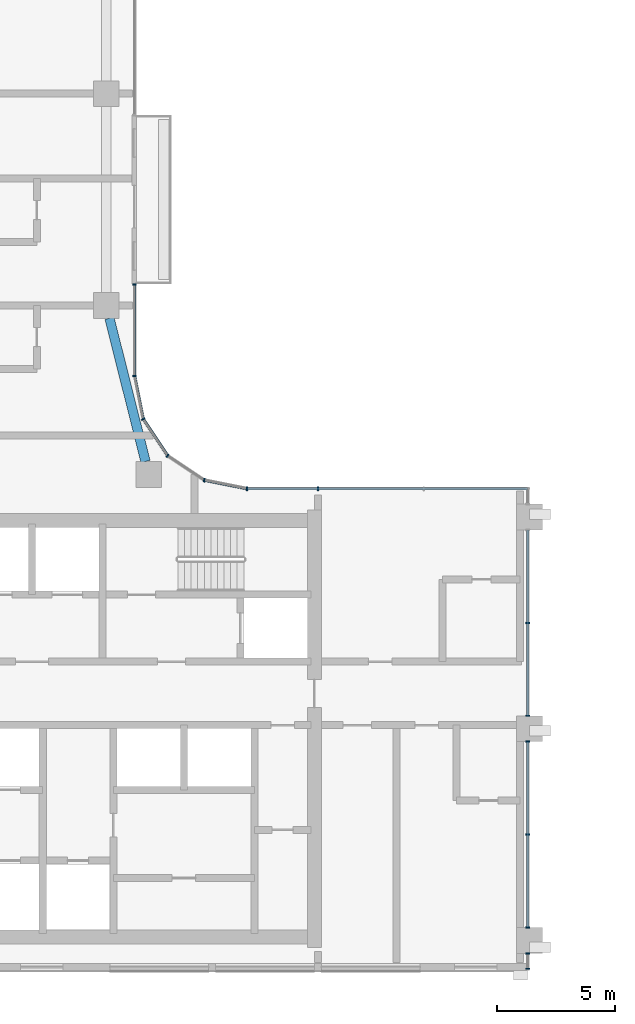
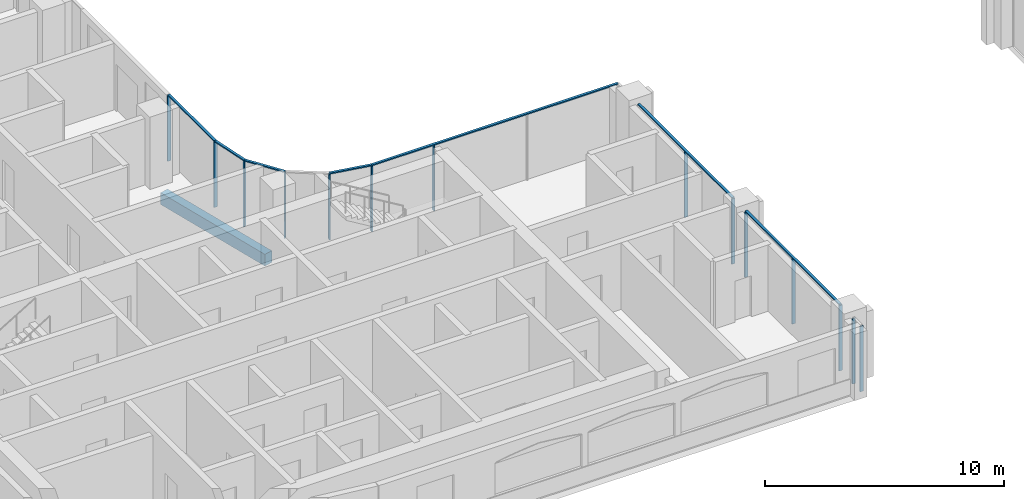
# One storey, part 2 of 23: 21 members, 1 beam, 6 elements without a shape of their own.
"""IFC4 building model written with IfcOpenShell, lengths in metres."""

from ifc_helpers import new_model, si_unit, direction, frame, origin, origin_2d, place, context, subcontext, project, spatial, rectangle, extrude, material, material_profile, profile_set, type_object, element, aggregate, save


model = new_model("IFC4")

# Units and contexts
model_context = context("Model", 3, precision=1e-05, world=origin(), true_north=direction((0.0, 1.0)))
body_context = subcontext(model_context, "Body", "Model", "MODEL_VIEW")
ifc_project = project(units=[si_unit("LENGTHUNIT", "METRE"), si_unit("AREAUNIT", "SQUARE_METRE"), si_unit("VOLUMEUNIT", "CUBIC_METRE"), si_unit("PLANEANGLEUNIT", "RADIAN"), si_unit("MASSUNIT", "GRAM", prefix="KILO")], contexts=[model_context])

# Site, building, storey
site_placement = place(None, origin())
site = spatial("IfcSite", under=ifc_project, at=site_placement, CompositionType="ELEMENT")
building_placement = place(site_placement, origin())
building = spatial("IfcBuilding", under=site, at=building_placement, Name="Ogive Portal Towers", CompositionType="ELEMENT")
storey_placement = place(building_placement, frame((0.0, 0.0, 164.39990234375)))
storey = spatial("IfcBuildingStorey", under=building, at=storey_placement, Name="L40", CompositionType="ELEMENT", Elevation=164.39990234375)

# Curtain wall, members
ifc_material_1 = material(Name="Glass, clear low-iron insulated glazing", Category="glass")
curtain_wall_type_1 = type_object("IfcCurtainWallType", Name="CW PORTAL REVEAL", PredefinedType="NOTDEFINED", material=ifc_material_1)
curtain_wall_1_placement = place(storey_placement, origin())
curtain_wall_1 = element("IfcCurtainWall", 1, at=curtain_wall_1_placement, inside=storey, type_object=curtain_wall_type_1, Name="A:L40:f06:cw0~0", PredefinedType="NOTDEFINED")
ifc_material_2 = material(Name="Aluminium 6063 anodised", Category="aluminium")
ifc_material_profile_1 = material_profile(ifc_material_2, rectangle(XDim=0.159912109375, YDim=0.06005859375, at=origin_2d()), Name="AL 60x160")
ifc_profile_set_1 = profile_set([ifc_material_profile_1], Name="Aluminium 6063 anodised")
member_type_1 = type_object("IfcMemberType", Name="CW MULLION 60x160", PredefinedType="MULLION", material=ifc_profile_set_1)
member_1_placement = place(storey_placement, frame((67.419921875, 20.294921875, 0.0), z_axis=(0.0, 0.0, 1.0), x_axis=(-1.0, 0.0, 0.0)))
member_1 = element("IfcMember", 2, at=member_1_placement, type_object=member_type_1, Name="mullion", PredefinedType="MULLION", context=body_context, shape_type="SweptSolid", body=[
    extrude(rectangle(XDim=0.159912109375, YDim=0.06005859375, at=origin_2d()), origin(), (0.0, 0.0, 1.0), 3.340087890625),
])
member_2_placement = place(storey_placement, frame((67.419921875, 20.949951171875, 0.0), z_axis=(0.0, 0.0, 1.0), x_axis=(-1.0, 0.0, 0.0)))
member_2 = element("IfcMember", 3, at=member_2_placement, type_object=member_type_1, Name="mullion", PredefinedType="MULLION", context=body_context, shape_type="SweptSolid", body=[
    extrude(rectangle(XDim=0.159912109375, YDim=0.06005859375, at=origin_2d()), origin(), (0.0, 0.0, 1.0), 3.340087890625),
])
aggregate(curtain_wall_1, [member_1, member_2])

curtain_wall_2_placement = place(storey_placement, origin())
curtain_wall_2 = element("IfcCurtainWall", 4, at=curtain_wall_2_placement, inside=storey, type_object=curtain_wall_type_1, Name="A:L40:f06:cw0~1", PredefinedType="NOTDEFINED")
member_3_placement = place(storey_placement, frame((67.419921875, 22.050048828125, 0.0), z_axis=(0.0, 0.0, 1.0), x_axis=(-1.0, 0.0, 0.0)))
member_3 = element("IfcMember", 5, at=member_3_placement, type_object=member_type_1, Name="mullion", PredefinedType="MULLION", context=body_context, shape_type="SweptSolid", body=[
    extrude(rectangle(XDim=0.159912109375, YDim=0.06005859375, at=origin_2d()), origin(), (0.0, 0.0, 1.0), 3.340087890625),
])
member_4_placement = place(storey_placement, frame((67.419921875, 26.0, 0.0), z_axis=(0.0, 0.0, 1.0), x_axis=(-1.0, 0.0, 0.0)))
member_4 = element("IfcMember", 6, at=member_4_placement, type_object=member_type_1, Name="mullion", PredefinedType="MULLION", context=body_context, shape_type="SweptSolid", body=[
    extrude(rectangle(XDim=0.159912109375, YDim=0.06005859375, at=origin_2d()), origin(), (0.0, 0.0, 1.0), 3.340087890625),
])
member_5_placement = place(storey_placement, frame((67.419921875, 29.949951171875, 0.0), z_axis=(0.0, 0.0, 1.0), x_axis=(-1.0, 0.0, 0.0)))
member_5 = element("IfcMember", 7, at=member_5_placement, type_object=member_type_1, Name="mullion", PredefinedType="MULLION", context=body_context, shape_type="SweptSolid", body=[
    extrude(rectangle(XDim=0.159912109375, YDim=0.06005859375, at=origin_2d()), origin(), (0.0, 0.0, 1.0), 3.340087890625),
])

curtain_wall_3_placement = place(storey_placement, origin())
curtain_wall_3 = element("IfcCurtainWall", 8, at=curtain_wall_3_placement, inside=storey, type_object=curtain_wall_type_1, Name="A:L40:f06:cw0~2", PredefinedType="NOTDEFINED")
member_6_placement = place(storey_placement, frame((67.419921875, 31.050048828125, 0.0), z_axis=(0.0, 0.0, 1.0), x_axis=(-1.0, 0.0, 0.0)))
member_6 = element("IfcMember", 9, at=member_6_placement, type_object=member_type_1, Name="mullion", PredefinedType="MULLION", context=body_context, shape_type="SweptSolid", body=[
    extrude(rectangle(XDim=0.159912109375, YDim=0.06005859375, at=origin_2d()), origin(), (0.0, 0.0, 1.0), 3.340087890625),
])
member_7_placement = place(storey_placement, frame((67.419921875, 35.0, 0.0), z_axis=(0.0, 0.0, 1.0), x_axis=(-1.0, 0.0, 0.0)))
member_7 = element("IfcMember", 10, at=member_7_placement, type_object=member_type_1, Name="mullion", PredefinedType="MULLION", context=body_context, shape_type="SweptSolid", body=[
    extrude(rectangle(XDim=0.159912109375, YDim=0.06005859375, at=origin_2d()), origin(), (0.0, 0.0, 1.0), 3.340087890625),
])

curtain_wall_type_2 = type_object("IfcCurtainWallType", Name="CW FRONT RIBBON 4500", PredefinedType="NOTDEFINED", material=ifc_material_1)
curtain_wall_4_placement = place(storey_placement, origin())
curtain_wall_4 = element("IfcCurtainWall", 11, at=curtain_wall_4_placement, inside=storey, type_object=curtain_wall_type_2, Name="A:L40:f07:cw0", PredefinedType="NOTDEFINED")
member_8_placement = place(storey_placement, frame((58.5, 40.705078125, 0.0), z_axis=(0.0, 0.0, 1.0), x_axis=(0.0, -1.0, 0.0)))
member_8 = element("IfcMember", 12, at=member_8_placement, type_object=member_type_1, Name="mullion", PredefinedType="MULLION", context=body_context, shape_type="SweptSolid", body=[
    extrude(rectangle(XDim=0.159912109375, YDim=0.06005859375, at=origin_2d()), origin(), (0.0, 0.0, 1.0), 3.340087890625),
])
member_9_placement = place(storey_placement, frame((55.4921875, 40.705078125, 0.0), z_axis=(0.0, 0.0, 1.0), x_axis=(0.0, -1.0, 0.0)))
member_9 = element("IfcMember", 13, at=member_9_placement, type_object=member_type_1, Name="mullion", PredefinedType="MULLION", context=body_context, shape_type="SweptSolid", body=[
    extrude(rectangle(XDim=0.159912109375, YDim=0.06005859375, at=origin_2d()), origin(), (0.0, 0.0, 1.0), 3.340087890625),
])

curtain_wall_5_placement = place(storey_placement, origin())
curtain_wall_5 = element("IfcCurtainWall", 14, at=curtain_wall_5_placement, inside=storey, type_object=curtain_wall_type_2, Name="A:L40:f12:cw0", PredefinedType="NOTDEFINED")
member_10_placement = place(storey_placement, frame((50.705078125, 45.4921875, 0.0), z_axis=(0.0, 0.0, 1.0), x_axis=(-1.0, 0.0, 0.0)))
member_10 = element("IfcMember", 15, at=member_10_placement, type_object=member_type_1, Name="mullion", PredefinedType="MULLION", context=body_context, shape_type="SweptSolid", body=[
    extrude(rectangle(XDim=0.159912109375, YDim=0.06005859375, at=origin_2d()), origin(), (0.0, 0.0, 1.0), 3.340087890625),
])
member_11_placement = place(storey_placement, frame((50.705078125, 49.391357421875, 0.0), z_axis=(0.0, 0.0, 1.0), x_axis=(-1.0, 0.0, 0.0)))
member_11 = element("IfcMember", 16, at=member_11_placement, type_object=member_type_1, Name="mullion", PredefinedType="MULLION", context=body_context, shape_type="SweptSolid", body=[
    extrude(rectangle(XDim=0.159912109375, YDim=0.06005859375, at=origin_2d()), origin(), (0.0, 0.0, 1.0), 3.340087890625),
])

curtain_wall_6_placement = place(storey_placement, origin())
curtain_wall_6 = element("IfcCurtainWall", 17, at=curtain_wall_6_placement, inside=storey, type_object=curtain_wall_type_2, Name="A:L40:f08:cwa", PredefinedType="NOTDEFINED")
member_12_placement = place(storey_placement, frame((53.66455078125, 41.068603515625, 0.0), z_axis=(0.0, 0.0, 1.0), x_axis=(-0.195090322016, -0.980785280403, 0.0)))
member_12 = element("IfcMember", 18, at=member_12_placement, type_object=member_type_1, Name="mullion", PredefinedType="MULLION", context=body_context, shape_type="SweptSolid", body=[
    extrude(rectangle(XDim=0.159912109375, YDim=0.06005859375, at=origin_2d()), origin(), (0.0, 0.0, 1.0), 3.340087890625),
])
member_13_placement = place(storey_placement, frame((52.1083984375, 42.1083984375, 0.0), z_axis=(0.0, 0.0, 1.0), x_axis=(-0.55557023302, -0.831469612303, 0.0)))
member_13 = element("IfcMember", 19, at=member_13_placement, type_object=member_type_1, Name="mullion", PredefinedType="MULLION", context=body_context, shape_type="SweptSolid", body=[
    extrude(rectangle(XDim=0.159912109375, YDim=0.06005859375, at=origin_2d()), origin(), (0.0, 0.0, 1.0), 3.340087890625),
])
member_14_placement = place(storey_placement, frame((51.068603515625, 43.66455078125, 0.0), z_axis=(0.0, 0.0, 1.0), x_axis=(-0.831469612303, -0.55557023302, 0.0)))
member_14 = element("IfcMember", 20, at=member_14_placement, type_object=member_type_1, Name="mullion", PredefinedType="MULLION", context=body_context, shape_type="SweptSolid", body=[
    extrude(rectangle(XDim=0.159912109375, YDim=0.06005859375, at=origin_2d()), origin(), (0.0, 0.0, 1.0), 3.340087890625),
])

# Member
ifc_material_profile_2 = material_profile(ifc_material_2, rectangle(XDim=0.1201171875, YDim=0.06005859375, at=origin_2d()), Name="AL 120x60")
ifc_profile_set_2 = profile_set([ifc_material_profile_2], Name="Aluminium 6063 anodised")
member_type_2 = type_object("IfcMemberType", Name="CW TRANSOM 60x120", PredefinedType="USERDEFINED", material=ifc_profile_set_2)
member_15_placement = place(storey_placement, frame((67.419921875, 22.050048828125, 3.3701171875), z_axis=(0.0, 1.0, 0.0), x_axis=(-1.0, 0.0, 0.0)))
member_15 = element("IfcMember", 21, at=member_15_placement, type_object=member_type_2, Name="transom", ObjectType="TRANSOM", PredefinedType="USERDEFINED", context=body_context, shape_type="SweptSolid", body=[
    extrude(rectangle(XDim=0.1201171875, YDim=0.06005859375, at=origin_2d()), origin(), (0.0, 0.0, 1.0), 7.89990234375),
])

aggregate(curtain_wall_2, [member_15, member_3, member_4, member_5])

member_16_placement = place(storey_placement, frame((67.419921875, 31.050048828125, 3.3701171875), z_axis=(0.0, 1.0, 0.0), x_axis=(-1.0, 0.0, 0.0)))
member_16 = element("IfcMember", 22, at=member_16_placement, type_object=member_type_2, Name="transom", ObjectType="TRANSOM", PredefinedType="USERDEFINED", context=body_context, shape_type="SweptSolid", body=[
    extrude(rectangle(XDim=0.1201171875, YDim=0.06005859375, at=origin_2d()), origin(), (0.0, 0.0, 1.0), 7.89990234375),
])

aggregate(curtain_wall_3, [member_16, member_6, member_7])

member_17_placement = place(storey_placement, frame((67.419921875, 40.705078125, 3.3701171875), z_axis=(-1.0, 0.0, 0.0), x_axis=(0.0, -1.0, 0.0)))
member_17 = element("IfcMember", 23, at=member_17_placement, type_object=member_type_2, Name="transom", ObjectType="TRANSOM", PredefinedType="USERDEFINED", context=body_context, shape_type="SweptSolid", body=[
    extrude(rectangle(XDim=0.1201171875, YDim=0.06005859375, at=origin_2d()), origin(), (0.0, 0.0, 1.0), 11.927734375),
])

aggregate(curtain_wall_4, [member_17, member_8, member_9])

member_18_placement = place(storey_placement, frame((50.705078125, 45.4921875, 3.3701171875), z_axis=(0.0, 1.0, 0.0), x_axis=(-1.0, 0.0, 0.0)))
member_18 = element("IfcMember", 24, at=member_18_placement, type_object=member_type_2, Name="transom", ObjectType="TRANSOM", PredefinedType="USERDEFINED", context=body_context, shape_type="SweptSolid", body=[
    extrude(rectangle(XDim=0.1201171875, YDim=0.06005859375, at=origin_2d()), origin(), (0.0, 0.0, 1.0), 3.899169921875),
])

aggregate(curtain_wall_5, [member_18, member_10, member_11])

member_19_placement = place(storey_placement, frame((55.4921875, 40.705078125, 3.3701171875), z_axis=(-0.980786733923, 0.195083014535, 0.0), x_axis=(-0.195083014535, -0.980786733923, 0.0)))
member_19 = element("IfcMember", 25, at=member_19_placement, type_object=member_type_2, Name="transom", ObjectType="TRANSOM", PredefinedType="USERDEFINED", context=body_context, shape_type="SweptSolid", body=[
    extrude(rectangle(XDim=0.1201171875, YDim=0.06005859375, at=origin_2d()), origin(), (0.0, 0.0, 1.0), 1.863525390625),
])

member_20_placement = place(storey_placement, frame((52.1083984375, 42.1083984375, 3.3701171875), z_axis=(-0.55557288097, 0.831467842992, 0.0), x_axis=(-0.831467842992, -0.55557288097, 0.0)))
member_20 = element("IfcMember", 26, at=member_20_placement, type_object=member_type_2, Name="transom", ObjectType="TRANSOM", PredefinedType="USERDEFINED", context=body_context, shape_type="SweptSolid", body=[
    extrude(rectangle(XDim=0.1201171875, YDim=0.06005859375, at=origin_2d()), origin(), (0.0, 0.0, 1.0), 1.87158203125),
])

member_21_placement = place(storey_placement, frame((51.068603515625, 43.66455078125, 3.3701171875), z_axis=(-0.195083014535, 0.980786733923, 0.0), x_axis=(-0.980786733923, -0.195083014535, 0.0)))
member_21 = element("IfcMember", 27, at=member_21_placement, type_object=member_type_2, Name="transom", ObjectType="TRANSOM", PredefinedType="USERDEFINED", context=body_context, shape_type="SweptSolid", body=[
    extrude(rectangle(XDim=0.1201171875, YDim=0.06005859375, at=origin_2d()), origin(), (0.0, 0.0, 1.0), 1.863525390625),
])

aggregate(curtain_wall_6, [member_19, member_20, member_21, member_12, member_13, member_14])

# Beam
ifc_material_3 = material(Name="Concrete C40/50", Category="concrete")
ifc_material_profile_3 = material_profile(ifc_material_3, rectangle(XDim=0.39990234375, YDim=0.60009765625, at=origin_2d()), Name="RC 400x600")
ifc_profile_set_3 = profile_set([ifc_material_profile_3], Name="Concrete C40/50")
beam_type = type_object("IfcBeamType", Name="SPANDREL BEAM RC 400x600", PredefinedType="BEAM", material=ifc_profile_set_3)
beam_placement = place(storey_placement, frame((49.638427734375, 47.949951171875, -0.599853515625), z_axis=(0.244108681121, -0.969747880535, 0.0), x_axis=(0.969747880535, 0.244108681121, 0.0)))
element("IfcBeam", 28, at=beam_placement, inside=storey, type_object=beam_type, Name="Spandrel beam L40", PredefinedType="BEAM", context=body_context, shape_type="SweptSolid", body=[
    extrude(rectangle(XDim=0.39990234375, YDim=0.60009765625, at=origin_2d()), origin(), (0.0, 0.0, 1.0), 6.27978515625),
])

save(model, "model.ifc")
